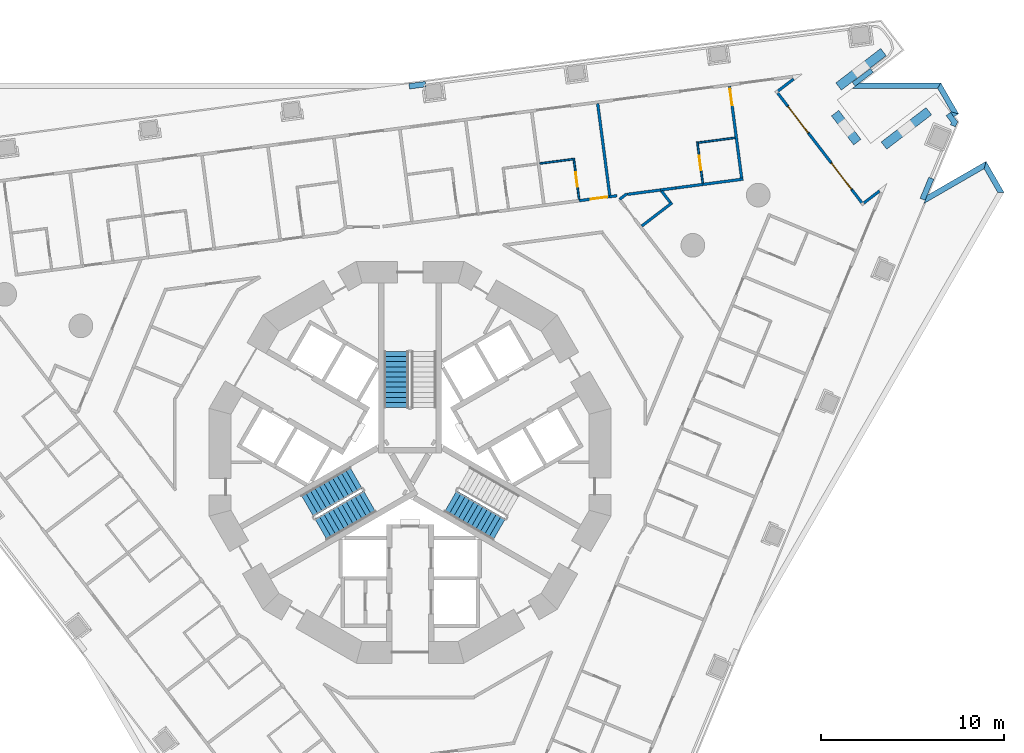
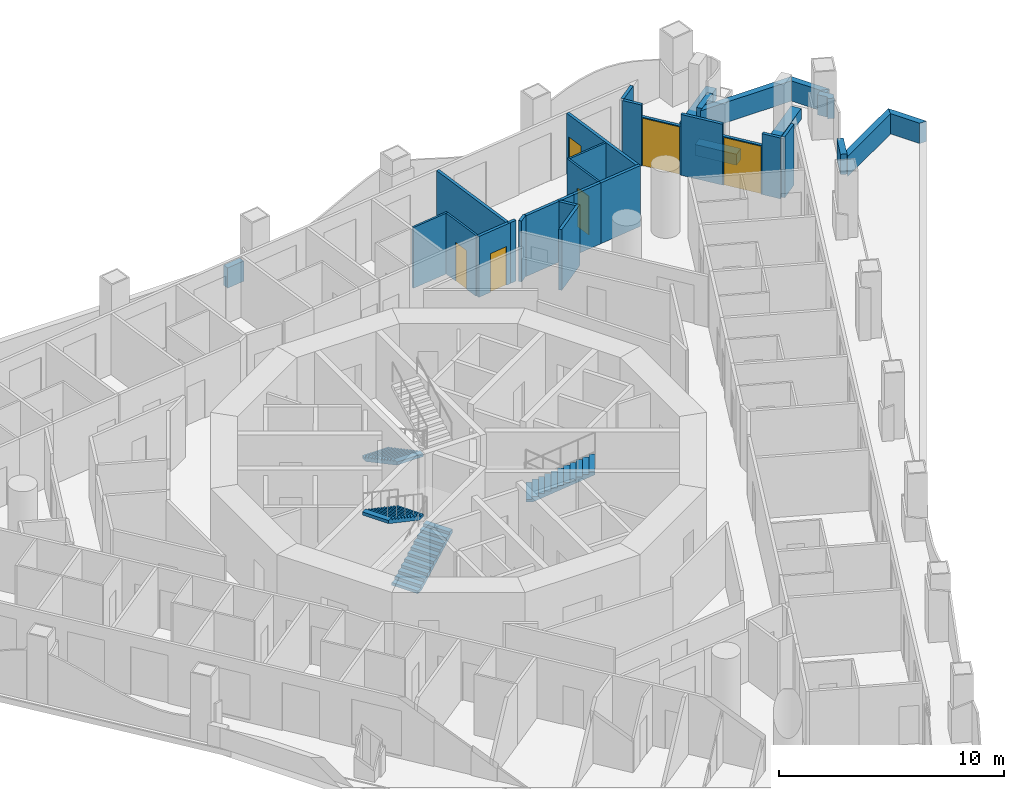
# One storey, part 11 of 20: 34 walls, 6 doors, 4 stair flights, 6 openings, 3 elements without a shape of their own.
"""IFC4 building model written with IfcOpenShell, lengths in metres."""

from ifc_helpers import new_model, si_unit, direction, frame, frame_2d, origin, place, context, subcontext, project, spatial, polyline, rectangle, outline, extrude, material, layer, layer_set, type_object, element, fill, aggregate, save


model = new_model("IFC4")

# Units and contexts
model_context = context("Model", 3, precision=1e-05, world=origin(), true_north=direction((0.0, 1.0)))
body_context = subcontext(model_context, "Body", "Model", "MODEL_VIEW")
ifc_project = project(units=[si_unit("LENGTHUNIT", "METRE"), si_unit("AREAUNIT", "SQUARE_METRE"), si_unit("VOLUMEUNIT", "CUBIC_METRE"), si_unit("PLANEANGLEUNIT", "RADIAN"), si_unit("MASSUNIT", "GRAM", prefix="KILO")], contexts=[model_context])

# Site, building, storey
site_placement = place(None, origin())
site = spatial("IfcSite", under=ifc_project, at=site_placement, CompositionType="ELEMENT")
building_placement = place(site_placement, origin())
building = spatial("IfcBuilding", under=site, at=building_placement, Name="Trine Commons Tower", CompositionType="ELEMENT")
storey_placement = place(building_placement, frame((0.0, 0.0, 50.39990234375)))
storey = spatial("IfcBuildingStorey", under=building, at=storey_placement, Name="L11", CompositionType="ELEMENT", Elevation=50.39990234375)

# Walls
ifc_material_1 = material(Name="Aluminium-framed insulated wall panel", Category="aluminium")
ifc_layer_1 = layer(ifc_material_1, 0.14990234375)
ifc_layer_set_1 = layer_set([ifc_layer_1], Name="Aluminium-framed insulated wall panel")
wall_type_1 = type_object("IfcWallType", Name="Glazed frame wall 150, EI 60", PredefinedType="SOLIDWALL", material=ifc_layer_set_1)
wall_1_placement = place(storey_placement, frame((101.129150390625, 83.584716796875, 0.0), z_axis=(0.0, 0.0, 1.0), x_axis=(-0.79337253673, -0.608736410905, 0.0)))
element("IfcWall", 1, at=wall_1_placement, inside=storey, type_object=wall_type_1, Name="Glazed frame wall R5", PredefinedType="SOLIDWALL", context=body_context, shape_type="SweptSolid", body=[
    extrude(outline(polyline([(0.1494140625, 0.074951171875), (0.1494140625, -0.074951171875), (1.235107421875, -0.074951171875), (1.235107421875, 0.074951171875), (0.1494140625, 0.074951171875)])), origin(), (0.0, 0.0, 1.0), 3.300048828125),
])
wall_2_placement = place(storey_placement, frame((100.068603515625, 82.81494140625, 0.0), z_axis=(0.0, 0.0, 1.0), x_axis=(0.608908114293, -0.793240763166, 0.0)))
element("IfcWall", 2, at=wall_2_placement, inside=storey, type_object=wall_type_1, Name="Glazed frame wall P2.1", PredefinedType="SOLIDWALL", context=body_context, shape_type="SweptSolid", body=[
    extrude(outline(polyline([(0.110107421875, -0.074951171875), (1.0, -0.074951171875), (1.0, 0.074951171875), (0.110107421875, 0.074951171875), (0.110107421875, -0.074951171875)])), origin(), (0.0, 0.0, 1.0), 3.300048828125),
])

# Wall, opening, door
wall_3_placement = place(storey_placement, frame((100.677490234375, 82.021728515625, 0.0), z_axis=(0.0, 0.0, 1.0), x_axis=(0.608722862036, -0.793382932281, 0.0)))
wall_3 = element("IfcWall", 3, at=wall_3_placement, inside=storey, type_object=wall_type_1, Name="Glazed frame wall P2.2", PredefinedType="SOLIDWALL", context=body_context, shape_type="SweptSolid", body=[
    extrude(outline(polyline([(0.0, -0.074951171875), (1.89990234375, -0.074951171875), (1.89990234375, 0.074951171875), (0.0, 0.074951171875), (0.0, -0.074951171875)])), origin(), (0.0, 0.0, 1.0), 2.650146484375),
])
opening_1_placement = place(wall_3_placement, frame((0.050048828125, 0.0, 0.0)))
opening_1 = element("IfcOpeningElement", 4, at=opening_1_placement, cuts=wall_3, Name="Opening BD-2P2-01", PredefinedType="OPENING", context=body_context, shape_type="SweptSolid", body=[
    extrude(rectangle(XDim=1.800048828125, YDim=2.60009765625, at=frame_2d((0.89990234375, 1.300048828125))), frame((0.0, 0.0849609375, 0.0), z_axis=(0.0, -1.0, 0.0), x_axis=(1.0, 0.0, 0.0)), (0.0, 0.0, 1.0), 0.169921875),
])
ifc_material_2 = material(Name="Anodised aluminium frame with double glazing", Category="aluminium")
door_type_1 = type_object("IfcDoorType", Name="Sliding loggia door 1800x2600", OperationType="SLIDING_TO_LEFT", PredefinedType="DOOR", material=ifc_material_2)
door_1_placement = place(opening_1_placement, origin())
door_1 = element("IfcDoor", 5, at=door_1_placement, inside=storey, type_object=door_type_1, Name="Loggia door P2 1", OperationType="SLIDING_TO_LEFT", OverallHeight=2.60009765625, OverallWidth=1.800048828125, PredefinedType="DOOR", context=body_context, shape_type="SweptSolid", body=[
    extrude(rectangle(XDim=1.800048828125, YDim=2.60009765625, at=frame_2d((0.89990234375, 1.300048828125))), frame((0.0, 0.02490234375, 0.0), z_axis=(0.0, -1.0, 0.0), x_axis=(1.0, 0.0, 0.0)), (0.0, 0.0, 1.0), 0.050048828125),
])
fill(opening_1, door_1)

# Wall
wall_4_placement = place(storey_placement, frame((101.833984375, 80.514404296875, 0.0), z_axis=(0.0, 0.0, 1.0), x_axis=(0.608713379391, -0.793390207748, 0.0)))
element("IfcWall", 6, at=wall_4_placement, inside=storey, type_object=wall_type_1, Name="Glazed frame wall P2.3", PredefinedType="SOLIDWALL", context=body_context, shape_type="SweptSolid", body=[
    extrude(outline(polyline([(0.0, -0.074951171875), (2.0, -0.074951171875), (2.0, 0.074951171875), (0.0, 0.074951171875), (0.0, -0.074951171875)])), origin(), (0.0, 0.0, 1.0), 3.300048828125),
])

# Wall, opening, door
wall_5_placement = place(storey_placement, frame((103.051513671875, 78.927490234375, 0.0), z_axis=(0.0, 0.0, 1.0), x_axis=(0.608803740143, -0.793320872023, 0.0)))
wall_5 = element("IfcWall", 7, at=wall_5_placement, inside=storey, type_object=wall_type_1, Name="Glazed frame wall P2.4", PredefinedType="SOLIDWALL", context=body_context, shape_type="SweptSolid", body=[
    extrude(outline(polyline([(0.0, -0.074951171875), (1.89990234375, -0.074951171875), (1.89990234375, 0.074951171875), (0.0, 0.074951171875), (0.0, -0.074951171875)])), origin(), (0.0, 0.0, 1.0), 2.650146484375),
])
opening_2_placement = place(wall_5_placement, frame((0.050048828125, 0.0, 0.0)))
opening_2 = element("IfcOpeningElement", 8, at=opening_2_placement, cuts=wall_5, Name="Opening BD-2P2-02", PredefinedType="OPENING", context=body_context, shape_type="SweptSolid", body=[
    extrude(rectangle(XDim=1.800048828125, YDim=2.60009765625, at=frame_2d((0.89990234375, 1.300048828125))), frame((0.0, 0.0849609375, 0.0), z_axis=(0.0, -1.0, 0.0), x_axis=(1.0, 0.0, 0.0)), (0.0, 0.0, 1.0), 0.169921875),
])
door_2_placement = place(opening_2_placement, origin())
door_2 = element("IfcDoor", 9, at=door_2_placement, inside=storey, type_object=door_type_1, Name="Loggia door P2 2", OperationType="SLIDING_TO_LEFT", OverallHeight=2.60009765625, OverallWidth=1.800048828125, PredefinedType="DOOR", context=body_context, shape_type="SweptSolid", body=[
    extrude(rectangle(XDim=1.800048828125, YDim=2.60009765625, at=frame_2d((0.89990234375, 1.300048828125))), frame((0.0, 0.02490234375, 0.0), z_axis=(0.0, -1.0, 0.0), x_axis=(1.0, 0.0, 0.0)), (0.0, 0.0, 1.0), 0.050048828125),
])
fill(opening_2, door_2)

# Walls
wall_6_placement = place(storey_placement, frame((104.208251953125, 77.420166015625, 0.0), z_axis=(0.0, 0.0, 1.0), x_axis=(0.608754453805, -0.793358692504, 0.0)))
element("IfcWall", 10, at=wall_6_placement, inside=storey, type_object=wall_type_1, Name="Glazed frame wall P2.5", PredefinedType="SOLIDWALL", context=body_context, shape_type="SweptSolid", body=[
    extrude(outline(polyline([(0.889892578125, 0.074951171875), (0.0, 0.074951171875), (0.0, -0.074951171875), (0.889892578125, -0.074951171875), (0.889892578125, 0.074951171875)])), origin(), (0.0, 0.0, 1.0), 3.300048828125),
])
wall_7_placement = place(storey_placement, frame((104.767822265625, 76.63330078125, 0.0), z_axis=(0.0, 0.0, 1.0), x_axis=(0.793352136239, 0.608762998157, 0.0)))
element("IfcWall", 11, at=wall_7_placement, inside=storey, type_object=wall_type_1, Name="Glazed frame wall R7", PredefinedType="SOLIDWALL", context=body_context, shape_type="SweptSolid", body=[
    extrude(outline(polyline([(0.110107421875, 0.074951171875), (0.110107421875, -0.074951171875), (1.19580078125, -0.074951171875), (1.19580078125, 0.074951171875), (0.110107421875, 0.074951171875)])), origin(), (0.0, 0.0, 1.0), 3.300048828125),
])
ifc_material_3 = material(Name="Planter trough, precast concrete C40/50", Category="concrete")
ifc_layer_2 = layer(ifc_material_3, 0.5)
ifc_layer_set_2 = layer_set([ifc_layer_2], Name="Planter trough, precast concrete C40/50")
wall_type_2 = type_object("IfcWallType", Name="Planter trough 500x600", PredefinedType="PARAPET", material=ifc_layer_set_2)
wall_8_placement = place(storey_placement, frame((105.933349609375, 84.970703125, 0.0), z_axis=(0.0, 0.0, 1.0), x_axis=(-0.793355321014, -0.608758847671, 0.0)))
element("IfcWall", 12, at=wall_8_placement, inside=storey, type_object=wall_type_2, Name="Planter 4", PredefinedType="PARAPET", context=body_context, shape_type="SweptSolid", body=[
    extrude(rectangle(XDim=3.10009765625, YDim=0.5, at=frame_2d((1.550048828125, 0.0))), origin(), (0.0, 0.0, 1.0), 0.60009765625),
])
wall_9_placement = place(storey_placement, frame((103.281982421875, 81.625244140625, 0.0), z_axis=(0.0, 0.0, 1.0), x_axis=(0.608772331974, -0.793344974033, 0.0)))
element("IfcWall", 13, at=wall_9_placement, inside=storey, type_object=wall_type_2, Name="Planter 5", PredefinedType="PARAPET", context=body_context, shape_type="SweptSolid", body=[
    extrude(rectangle(XDim=2.0, YDim=0.5, at=frame_2d((1.0, 0.0))), origin(), (0.0, 0.0, 1.0), 0.60009765625),
])
wall_10_placement = place(storey_placement, frame((105.95751953125, 79.8466796875, 0.0), z_axis=(0.0, 0.0, 1.0), x_axis=(0.793355321014, 0.608758847671, 0.0)))
element("IfcWall", 14, at=wall_10_placement, inside=storey, type_object=wall_type_2, Name="Planter 6", PredefinedType="PARAPET", context=body_context, shape_type="SweptSolid", body=[
    extrude(rectangle(XDim=3.10009765625, YDim=0.5, at=frame_2d((1.550048828125, 0.0))), origin(), (0.0, 0.0, 1.0), 0.60009765625),
])
ifc_material_4 = material(Name="Limestone, honed", Category="masonry")
ifc_layer_3 = layer(ifc_material_4, 0.300048828125)
ifc_layer_set_3 = layer_set([ifc_layer_3], Name="Limestone, honed")
wall_type_3 = type_object("IfcWallType", Name="Stone parapet 300", PredefinedType="PARAPET", material=ifc_layer_set_3)
wall_11_placement = place(storey_placement, origin())
element("IfcWall", 15, at=wall_11_placement, inside=storey, type_object=wall_type_3, Name="Sliver roof parapet extension L10 2.X1", PredefinedType="PARAPET", context=body_context, shape_type="SweptSolid", body=[
    extrude(outline(polyline([(79.9326171875, 83.24560546875), (79.9716796875, 82.947998046875), (80.864013671875, 83.0654296875), (80.824951171875, 83.36279296875), (80.040771484375, 83.259765625), (79.9326171875, 83.24560546875)])), origin(), (0.0, 0.0, 1.0), 1.10009765625),
])
wall_12_placement = place(storey_placement, origin())
element("IfcWall", 16, at=wall_12_placement, inside=storey, type_object=wall_type_3, Name="Sliver roof parapet L10 5.1", PredefinedType="PARAPET", context=body_context, shape_type="SweptSolid", body=[
    extrude(outline(polyline([(109.785400390625, 81.4287109375), (110.0537109375, 81.58349609375), (109.64404296875, 81.693359375), (109.601318359375, 81.668701171875), (109.785400390625, 81.4287109375)])), origin(), (0.0, 0.0, 1.0), 1.10009765625),
])
wall_13_placement = place(storey_placement, origin())
element("IfcWall", 17, at=wall_13_placement, inside=storey, type_object=wall_type_3, Name="Sliver roof parapet L10 5.2", PredefinedType="PARAPET", context=body_context, shape_type="SweptSolid", body=[
    extrude(outline(polyline([(110.0537109375, 81.58349609375), (109.07177734375, 83.28466796875), (108.898681640625, 82.984619140625), (109.64404296875, 81.693359375), (110.0537109375, 81.58349609375)])), origin(), (0.0, 0.0, 1.0), 1.10009765625),
])
wall_14_placement = place(storey_placement, origin())
element("IfcWall", 18, at=wall_14_placement, inside=storey, type_object=wall_type_3, Name="Sliver roof parapet L10 5.3", PredefinedType="PARAPET", context=body_context, shape_type="SweptSolid", body=[
    extrude(outline(polyline([(109.07177734375, 83.28466796875), (104.623046875, 83.28466796875), (104.23193359375, 82.984619140625), (108.898681640625, 82.984619140625), (109.07177734375, 83.28466796875)])), origin(), (0.0, 0.0, 1.0), 1.10009765625),
])
wall_15_placement = place(storey_placement, origin())
element("IfcWall", 19, at=wall_15_placement, inside=storey, type_object=wall_type_3, Name="Sliver roof parapet extension L10 5.X1", PredefinedType="PARAPET", context=body_context, shape_type="SweptSolid", body=[
    extrude(outline(polyline([(109.8828125, 80.873779296875), (109.99755859375, 81.15087890625), (109.96826171875, 81.190673828125), (109.602783203125, 81.666748046875), (109.364990234375, 81.484130859375), (109.654541015625, 81.106689453125), (109.605712890625, 80.988525390625), (109.8828125, 80.873779296875)])), origin(), (0.0, 0.0, 1.0), 1.10009765625),
])
wall_16_placement = place(storey_placement, origin())
element("IfcWall", 20, at=wall_16_placement, inside=storey, type_object=wall_type_3, Name="Sliver roof parapet extension L10 5.X2", PredefinedType="PARAPET", context=body_context, shape_type="SweptSolid", body=[
    extrude(outline(polyline([(105.376708984375, 83.86279296875), (105.21240234375, 84.0771484375), (104.220703125, 83.316162109375), (104.385009765625, 83.10205078125), (104.76025390625, 83.389892578125), (105.376708984375, 83.86279296875)])), origin(), (0.0, 0.0, 1.0), 1.10009765625),
])
wall_17_placement = place(storey_placement, origin())
element("IfcWall", 21, at=wall_17_placement, inside=storey, type_object=wall_type_3, Name="Sliver roof parapet L10 6.2", PredefinedType="PARAPET", context=body_context, shape_type="SweptSolid", body=[
    extrude(outline(polyline([(112.535888671875, 77.28466796875), (111.5537109375, 78.985595703125), (111.444091796875, 78.57568359375), (112.189453125, 77.28466796875), (112.535888671875, 77.28466796875)])), origin(), (0.0, 0.0, 1.0), 1.10009765625),
])
wall_18_placement = place(storey_placement, origin())
element("IfcWall", 22, at=wall_18_placement, inside=storey, type_object=wall_type_3, Name="Sliver roof parapet L10 6.3", PredefinedType="PARAPET", context=body_context, shape_type="SweptSolid", body=[
    extrude(outline(polyline([(111.5537109375, 78.985595703125), (108.32958984375, 77.1240234375), (108.14111328125, 76.668701171875), (111.444091796875, 78.57568359375), (111.5537109375, 78.985595703125)])), origin(), (0.0, 0.0, 1.0), 1.10009765625),
])
wall_19_placement = place(storey_placement, origin())
element("IfcWall", 23, at=wall_19_placement, inside=storey, type_object=wall_type_3, Name="Sliver roof parapet extension L10 6.X2", PredefinedType="PARAPET", context=body_context, shape_type="SweptSolid", body=[
    extrude(outline(polyline([(107.937744140625, 76.961669921875), (108.21484375, 76.846923828125), (108.693115234375, 78.001708984375), (108.416015625, 78.11669921875), (107.937744140625, 76.961669921875)])), origin(), (0.0, 0.0, 1.0), 1.10009765625),
])

# Wall, opening, door
ifc_material_5 = material(Name="Gypsum plasterboard on steel stud", Category="steel")
ifc_layer_4 = layer(ifc_material_5, 0.14990234375)
ifc_layer_set_4 = layer_set([ifc_layer_4], Name="Gypsum plasterboard on steel stud")
wall_type_4 = type_object("IfcWallType", Name="Unit and corridor wall 150 mm, EI 60", PredefinedType="PARTITIONING", material=ifc_layer_set_4)
wall_20_placement = place(storey_placement, frame((89.263916015625, 76.830078125, 0.0), z_axis=(0.0, 0.0, 1.0), x_axis=(0.991460374844, 0.130408301556, 0.0)))
wall_20 = element("IfcWall", 24, at=wall_20_placement, inside=storey, type_object=wall_type_4, Name="Partition 120", PredefinedType="PARTITIONING", context=body_context, shape_type="SweptSolid", body=[
    extrude(rectangle(XDim=1.776611328125, YDim=0.14990234375, at=frame_2d((0.88818359375, 0.0))), origin(), (0.0, 0.0, 1.0), 3.300048828125),
])
opening_3_placement = place(wall_20_placement, frame((0.6474609375, 0.0, 0.0)))
opening_3 = element("IfcOpeningElement", 25, at=opening_3_placement, cuts=wall_20, Name="Opening D-2A15", PredefinedType="OPENING", context=body_context, shape_type="SweptSolid", body=[
    extrude(rectangle(XDim=0.89990234375, YDim=2.10009765625, at=frame_2d((0.449951171875, 1.050048828125))), frame((0.0, 0.0849609375, 0.0), z_axis=(0.0, -1.0, 0.0), x_axis=(1.0, 0.0, 0.0)), (0.0, 0.0, 1.0), 0.169921875),
])
ifc_material_6 = material(Name="Timber fire door set", Category="wood")
door_type_2 = type_object("IfcDoorType", Name="Bedroom door 900 x 2100, FD30S", OperationType="NOTDEFINED", PredefinedType="DOOR", material=ifc_material_6)
door_3_placement = place(opening_3_placement, origin())
door_3 = element("IfcDoor", 26, at=door_3_placement, inside=storey, type_object=door_type_2, Name="Door D-2A15", OperationType="SINGLE_SWING_RIGHT", OverallHeight=2.10009765625, OverallWidth=0.89990234375, PredefinedType="DOOR", context=body_context, shape_type="SweptSolid", body=[
    extrude(rectangle(XDim=0.89990234375, YDim=2.10009765625, at=frame_2d((0.449951171875, 1.050048828125))), frame((0.0, 0.02490234375, 0.0), z_axis=(0.0, -1.0, 0.0), x_axis=(1.0, 0.0, 0.0)), (0.0, 0.0, 1.0), 0.050048828125),
])
fill(opening_3, door_3)

# Walls
wall_21_placement = place(storey_placement, frame((90.276123046875, 82.146240234375, 0.0), z_axis=(0.0, 0.0, 1.0), x_axis=(0.130553032561, -0.991441327406, 0.0)))
element("IfcWall", 27, at=wall_21_placement, inside=storey, type_object=wall_type_4, Name="Partition 124", PredefinedType="PARTITIONING", context=body_context, shape_type="SweptSolid", body=[
    extrude(rectangle(XDim=5.064208984375, YDim=0.14990234375, at=frame_2d((2.5322265625, 0.0))), origin(), (0.0, 0.0, 1.0), 3.300048828125),
])
wall_22_placement = place(storey_placement, frame((90.935302734375, 77.050048828125, 0.0), z_axis=(0.0, 0.0, 1.0), x_axis=(0.991508240123, 0.130043876322, 0.0)))
element("IfcWall", 28, at=wall_22_placement, inside=storey, type_object=wall_type_4, Name="Partition 127", PredefinedType="PARTITIONING", context=body_context, shape_type="SweptSolid", body=[
    extrude(rectangle(XDim=0.39990234375, YDim=0.14990234375, at=frame_2d((0.199951171875, 0.0))), origin(), (0.0, 0.0, 1.0), 3.300048828125),
])
wall_23_placement = place(storey_placement, frame((91.47607421875, 76.903076171875, 0.0), z_axis=(0.0, 0.0, 1.0), x_axis=(0.794371473226, 0.607432269908, 0.0)))
element("IfcWall", 29, at=wall_23_placement, inside=storey, type_object=wall_type_4, Name="Partition 130", PredefinedType="PARTITIONING", context=body_context, shape_type="SweptSolid", body=[
    extrude(rectangle(XDim=0.508056640625, YDim=0.14990234375, at=frame_2d((0.25390625, 0.0))), origin(), (0.0, 0.0, 1.0), 3.300048828125),
])
wall_24_placement = place(storey_placement, frame((91.894287109375, 77.17578125, 0.0), z_axis=(0.0, 0.0, 1.0), x_axis=(0.991459237005, 0.130416951959, 0.0)))
element("IfcWall", 30, at=wall_24_placement, inside=storey, type_object=wall_type_4, Name="Partition 131", PredefinedType="PARTITIONING", context=body_context, shape_type="SweptSolid", body=[
    extrude(rectangle(XDim=1.849609375, YDim=0.14990234375, at=frame_2d((0.9248046875, 0.0))), origin(), (0.0, 0.0, 1.0), 3.300048828125),
])
wall_25_placement = place(storey_placement, frame((92.6923828125, 75.440673828125, 0.0), z_axis=(0.0, 0.0, 1.0), x_axis=(0.793198338244, 0.608963378379, 0.0)))
element("IfcWall", 31, at=wall_25_placement, inside=storey, type_object=wall_type_4, Name="Partition 133", PredefinedType="PARTITIONING", context=body_context, shape_type="SweptSolid", body=[
    extrude(rectangle(XDim=2.100341796875, YDim=0.14990234375, at=frame_2d((1.05029296875, 0.0))), origin(), (0.0, 0.0, 1.0), 3.300048828125),
])
wall_26_placement = place(storey_placement, frame((93.773681640625, 77.357421875, 0.0), z_axis=(0.0, 0.0, 1.0), x_axis=(0.609485891215, -0.792796914985, 0.0)))
element("IfcWall", 32, at=wall_26_placement, inside=storey, type_object=wall_type_4, Name="Partition 141", PredefinedType="PARTITIONING", context=body_context, shape_type="SweptSolid", body=[
    extrude(rectangle(XDim=0.787109375, YDim=0.14990234375, at=frame_2d((0.3935546875, 0.0))), origin(), (0.0, 0.0, 1.0), 3.300048828125),
])
wall_27_placement = place(storey_placement, frame((93.72802734375, 77.4169921875, 0.0), z_axis=(0.0, 0.0, 1.0), x_axis=(0.991356991582, 0.131191902348, 0.0)))
element("IfcWall", 33, at=wall_27_placement, inside=storey, type_object=wall_type_4, Name="Partition 142", PredefinedType="PARTITIONING", context=body_context, shape_type="SweptSolid", body=[
    extrude(rectangle(XDim=0.83935546875, YDim=0.14990234375, at=frame_2d((0.419677734375, 0.0))), origin(), (0.0, 0.0, 1.0), 3.300048828125),
])
wall_28_placement = place(storey_placement, frame((94.56005859375, 77.527099609375, 0.0), z_axis=(0.0, 0.0, 1.0), x_axis=(0.991501948485, 0.130091837371, 0.0)))
element("IfcWall", 34, at=wall_28_placement, inside=storey, type_object=wall_type_4, Name="Partition 145", PredefinedType="PARTITIONING", context=body_context, shape_type="SweptSolid", body=[
    extrude(rectangle(XDim=1.49755859375, YDim=0.14990234375, at=frame_2d((0.748779296875, 0.0))), origin(), (0.0, 0.0, 1.0), 3.300048828125),
])
wall_29_placement = place(storey_placement, frame((95.9873046875, 77.714599609375, 0.0), z_axis=(0.0, 0.0, 1.0), x_axis=(0.991461223533, 0.130401849026, 0.0)))
element("IfcWall", 35, at=wall_29_placement, inside=storey, type_object=wall_type_4, Name="Partition 153", PredefinedType="PARTITIONING", context=body_context, shape_type="SweptSolid", body=[
    extrude(rectangle(XDim=2.278564453125, YDim=0.14990234375, at=frame_2d((1.13916015625, 0.0))), origin(), (0.0, 0.0, 1.0), 3.300048828125),
])

# Wall, opening, door
wall_30_placement = place(storey_placement, frame((97.501220703125, 83.097412109375, 0.0), z_axis=(0.0, 0.0, 1.0), x_axis=(0.130499406053, -0.991448387471, 0.0)))
wall_30 = element("IfcWall", 36, at=wall_30_placement, inside=storey, type_object=wall_type_4, Name="Partition 158", PredefinedType="PARTITIONING", context=body_context, shape_type="SweptSolid", body=[
    extrude(rectangle(XDim=5.064208984375, YDim=0.14990234375, at=frame_2d((2.5322265625, 0.0))), origin(), (0.0, 0.0, 1.0), 3.300048828125),
])
opening_4_placement = place(wall_30_placement, frame((0.14990234375, 0.0, 0.0)))
opening_4 = element("IfcOpeningElement", 37, at=opening_4_placement, cuts=wall_30, Name="Opening D-2A16", PredefinedType="OPENING", context=body_context, shape_type="SweptSolid", body=[
    extrude(rectangle(XDim=0.89990234375, YDim=2.10009765625, at=frame_2d((0.449951171875, 1.050048828125))), frame((0.0, 0.0849609375, 0.0), z_axis=(0.0, -1.0, 0.0), x_axis=(1.0, 0.0, 0.0)), (0.0, 0.0, 1.0), 0.169921875),
])
door_4_placement = place(opening_4_placement, frame((0.89990234375, 0.0, 0.0), z_axis=(0.0, 0.0, 1.0), x_axis=(-1.0, 0.0, 0.0)))
door_4 = element("IfcDoor", 38, at=door_4_placement, inside=storey, type_object=door_type_2, Name="Door D-2A16", OperationType="SINGLE_SWING_RIGHT", OverallHeight=2.10009765625, OverallWidth=0.89990234375, PredefinedType="DOOR", context=body_context, shape_type="SweptSolid", body=[
    extrude(rectangle(XDim=0.89990234375, YDim=2.10009765625, at=frame_2d((0.449951171875, 1.050048828125))), frame((0.0, 0.02490234375, 0.0), z_axis=(0.0, -1.0, 0.0), x_axis=(1.0, 0.0, 0.0)), (0.0, 0.0, 1.0), 0.050048828125),
])
fill(opening_4, door_4)

# Wall
ifc_layer_5 = layer(ifc_material_5, 0.10009765625)
ifc_layer_set_5 = layer_set([ifc_layer_5], Name="Gypsum plasterboard on steel stud")
wall_type_5 = type_object("IfcWallType", Name="Unit partition 100 mm, no rating", PredefinedType="PARTITIONING", material=ifc_layer_set_5)
wall_31_placement = place(storey_placement, frame((87.109375, 78.86572265625, 0.0), z_axis=(0.0, 0.0, 1.0), x_axis=(0.991477594971, 0.130277314488, 0.0)))
element("IfcWall", 39, at=wall_31_placement, inside=storey, type_object=wall_type_5, Name="Partition 114", PredefinedType="PARTITIONING", context=body_context, shape_type="SweptSolid", body=[
    extrude(rectangle(XDim=1.924560546875, YDim=0.10009765625, at=frame_2d((0.96240234375, 0.0))), origin(), (0.0, 0.0, 1.0), 3.300048828125),
])

# Wall, opening, door
wall_32_placement = place(storey_placement, frame((88.974609375, 79.060302734375, 0.0), z_axis=(0.0, 0.0, 1.0), x_axis=(0.130457416757, -0.991453913409, 0.0)))
wall_32 = element("IfcWall", 40, at=wall_32_placement, inside=storey, type_object=wall_type_5, Name="Partition 119", PredefinedType="PARTITIONING", context=body_context, shape_type="SweptSolid", body=[
    extrude(rectangle(XDim=2.174560546875, YDim=0.10009765625, at=frame_2d((1.08740234375, 0.0))), origin(), (0.0, 0.0, 1.0), 3.300048828125),
])
opening_5_placement = place(wall_32_placement, frame((0.687255859375, 0.0, 0.0)))
opening_5 = element("IfcOpeningElement", 41, at=opening_5_placement, cuts=wall_32, Name="Opening D-2A47", PredefinedType="OPENING", context=body_context, shape_type="SweptSolid", body=[
    extrude(rectangle(XDim=0.800048828125, YDim=2.10009765625, at=frame_2d((0.39990234375, 1.050048828125))), frame((0.0, 0.06005859375, 0.0), z_axis=(0.0, -1.0, 0.0), x_axis=(1.0, 0.0, 0.0)), (0.0, 0.0, 1.0), 0.1201171875),
])
ifc_material_7 = material(Name="Painted timber", Category="wood")
door_type_3 = type_object("IfcDoorType", Name="Internal door 800 x 2100, NOT RATED", OperationType="NOTDEFINED", PredefinedType="DOOR", material=ifc_material_7)
door_5_placement = place(opening_5_placement, origin())
door_5 = element("IfcDoor", 42, at=door_5_placement, inside=storey, type_object=door_type_3, Name="Door D-2A47", OperationType="SINGLE_SWING_LEFT", OverallHeight=2.10009765625, OverallWidth=0.800048828125, PredefinedType="DOOR", context=body_context, shape_type="SweptSolid", body=[
    extrude(rectangle(XDim=0.800048828125, YDim=2.10009765625, at=frame_2d((0.39990234375, 1.050048828125))), frame((0.0, 0.02490234375, 0.0), z_axis=(0.0, -1.0, 0.0), x_axis=(1.0, 0.0, 0.0)), (0.0, 0.0, 1.0), 0.050048828125),
])
fill(opening_5, door_5)

wall_33_placement = place(storey_placement, frame((95.7333984375, 80.051513671875, 0.0), z_axis=(0.0, 0.0, 1.0), x_axis=(0.130940359595, -0.991390247193, 0.0)))
wall_33 = element("IfcWall", 43, at=wall_33_placement, inside=storey, type_object=wall_type_5, Name="Partition 151", PredefinedType="PARTITIONING", context=body_context, shape_type="SweptSolid", body=[
    extrude(rectangle(XDim=2.274658203125, YDim=0.10009765625, at=frame_2d((1.13720703125, 0.0))), origin(), (0.0, 0.0, 1.0), 3.300048828125),
])
opening_6_placement = place(wall_33_placement, frame((0.762451171875, 0.0, 0.0)))
opening_6 = element("IfcOpeningElement", 44, at=opening_6_placement, cuts=wall_33, Name="Opening D-2A48", PredefinedType="OPENING", context=body_context, shape_type="SweptSolid", body=[
    extrude(rectangle(XDim=0.800048828125, YDim=2.10009765625, at=frame_2d((0.39990234375, 1.050048828125))), frame((0.0, 0.06005859375, 0.0), z_axis=(0.0, -1.0, 0.0), x_axis=(1.0, 0.0, 0.0)), (0.0, 0.0, 1.0), 0.1201171875),
])
door_6_placement = place(opening_6_placement, frame((0.800048828125, 0.0, 0.0), z_axis=(0.0, 0.0, 1.0), x_axis=(-1.0, 0.0, 0.0)))
door_6 = element("IfcDoor", 45, at=door_6_placement, inside=storey, type_object=door_type_3, Name="Door D-2A48", OperationType="SINGLE_SWING_LEFT", OverallHeight=2.10009765625, OverallWidth=0.800048828125, PredefinedType="DOOR", context=body_context, shape_type="SweptSolid", body=[
    extrude(rectangle(XDim=0.800048828125, YDim=2.10009765625, at=frame_2d((0.39990234375, 1.050048828125))), frame((0.0, 0.02490234375, 0.0), z_axis=(0.0, -1.0, 0.0), x_axis=(1.0, 0.0, 0.0)), (0.0, 0.0, 1.0), 0.050048828125),
])
fill(opening_6, door_6)

# Wall
wall_34_placement = place(storey_placement, frame((95.78955078125, 80.008544921875, 0.0), z_axis=(0.0, 0.0, 1.0), x_axis=(0.991426785241, 0.130663420693, 0.0)))
element("IfcWall", 46, at=wall_34_placement, inside=storey, type_object=wall_type_5, Name="Partition 152", PredefinedType="PARTITIONING", context=body_context, shape_type="SweptSolid", body=[
    extrude(rectangle(XDim=2.025390625, YDim=0.10009765625, at=frame_2d((1.0126953125, 0.0))), origin(), (0.0, 0.0, 1.0), 3.300048828125),
])

# Stair, stair flight
ifc_material_8 = material(Name="Concrete C50/60", Category="concrete")
stair_type = type_object("IfcStairType", Name="Exit stair, dog-leg, 24 risers of 150 mm", PredefinedType="HALF_TURN_STAIR", material=ifc_material_8)
stair_1_placement = place(storey_placement, origin())
stair_1 = element("IfcStair", 47, at=stair_1_placement, inside=storey, type_object=stair_type, Name="L11 Exit stair ST1A", PredefinedType="HALF_TURN_STAIR")
stair_flight_type = type_object("IfcStairFlightType", Name="Stair flight, 1350 wide, 12 risers of 150 mm", PredefinedType="STRAIGHT", material=ifc_material_8)
stair_flight_1_placement = place(storey_placement, frame((79.25, 68.570556640625, 0.0), z_axis=(0.0, 0.0, 1.0), x_axis=(0.0, -1.0, 0.0)))
stair_flight_1 = element("IfcStairFlight", 48, at=stair_flight_1_placement, type_object=stair_flight_type, Name="ST1A flight 1", NumberOfRisers=12, NumberOfTreads=11, PredefinedType="STRAIGHT", RiserHeight=0.15, TreadLength=0.28, context=body_context, shape_type="SweptSolid", body=[
    extrude(outline(polyline([(0.0, 0.0), (0.0, 0.14990234375), (0.280029296875, 0.14990234375), (0.280029296875, 0.300048828125), (0.56005859375, 0.300048828125), (0.56005859375, 0.449951171875), (0.840087890625, 0.449951171875), (0.840087890625, 0.60009765625), (1.1201171875, 0.60009765625), (1.1201171875, 0.75), (1.39990234375, 0.75), (1.39990234375, 0.89990234375), (1.679931640625, 0.89990234375), (1.679931640625, 1.050048828125), (1.9599609375, 1.050048828125), (1.9599609375, 1.199951171875), (2.239990234375, 1.199951171875), (2.239990234375, 1.35009765625), (2.52001953125, 1.35009765625), (2.52001953125, 1.5), (2.800048828125, 1.5), (2.800048828125, 1.64990234375), (3.080078125, 1.64990234375), (3.080078125, 1.800048828125), (3.080078125, 1.47998046875), (0.3173828125, 0.0), (0.0, 0.0)])), frame((0.0, 0.675048828125, 0.0), z_axis=(0.0, -1.0, 0.0), x_axis=(1.0, 0.0, 0.0)), (0.0, 0.0, 1.0), 1.35009765625),
])
aggregate(stair_1, [stair_flight_1])

# Stair, stair flights
stair_2_placement = place(storey_placement, origin())
stair_2 = element("IfcStair", 49, at=stair_2_placement, inside=storey, type_object=stair_type, Name="L11 Exit stair ST2A", PredefinedType="HALF_TURN_STAIR")
stair_flight_2_placement = place(storey_placement, frame((75.11767578125, 58.815185546875, 0.0), z_axis=(0.0, 0.0, 1.0), x_axis=(0.866025403784, 0.5, 0.0)))
stair_flight_2 = element("IfcStairFlight", 50, at=stair_flight_2_placement, type_object=stair_flight_type, Name="ST2A flight 1", NumberOfRisers=12, NumberOfTreads=11, PredefinedType="STRAIGHT", RiserHeight=0.15, TreadLength=0.28, context=body_context, shape_type="SweptSolid", body=[
    extrude(outline(polyline([(0.0, 0.0), (0.0, 0.14990234375), (0.280029296875, 0.14990234375), (0.280029296875, 0.300048828125), (0.56005859375, 0.300048828125), (0.56005859375, 0.449951171875), (0.840087890625, 0.449951171875), (0.840087890625, 0.60009765625), (1.1201171875, 0.60009765625), (1.1201171875, 0.75), (1.39990234375, 0.75), (1.39990234375, 0.89990234375), (1.679931640625, 0.89990234375), (1.679931640625, 1.050048828125), (1.9599609375, 1.050048828125), (1.9599609375, 1.199951171875), (2.239990234375, 1.199951171875), (2.239990234375, 1.35009765625), (2.52001953125, 1.35009765625), (2.52001953125, 1.5), (2.800048828125, 1.5), (2.800048828125, 1.64990234375), (3.080078125, 1.64990234375), (3.080078125, 1.800048828125), (3.080078125, 1.47998046875), (0.3173828125, 0.0), (0.0, 0.0)])), frame((0.0, 0.675048828125, 0.0), z_axis=(0.0, -1.0, 0.0), x_axis=(1.0, 0.0, 0.0)), (0.0, 0.0, 1.0), 1.35009765625),
])
stair_flight_3_placement = place(storey_placement, frame((77.03515625, 61.654296875, 1.800048828125), z_axis=(0.0, 0.0, 1.0), x_axis=(-0.866025403784, -0.5, 0.0)))
stair_flight_3 = element("IfcStairFlight", 51, at=stair_flight_3_placement, type_object=stair_flight_type, Name="ST2A flight 2", NumberOfRisers=12, NumberOfTreads=11, PredefinedType="STRAIGHT", RiserHeight=0.15, TreadLength=0.28, context=body_context, shape_type="SweptSolid", body=[
    extrude(outline(polyline([(0.0, 0.0), (0.0, 0.14990234375), (0.280029296875, 0.14990234375), (0.280029296875, 0.300048828125), (0.56005859375, 0.300048828125), (0.56005859375, 0.449951171875), (0.840087890625, 0.449951171875), (0.840087890625, 0.60009765625), (1.1201171875, 0.60009765625), (1.1201171875, 0.75), (1.39990234375, 0.75), (1.39990234375, 0.89990234375), (1.679931640625, 0.89990234375), (1.679931640625, 1.050048828125), (1.9599609375, 1.050048828125), (1.9599609375, 1.199951171875), (2.239990234375, 1.199951171875), (2.239990234375, 1.35009765625), (2.52001953125, 1.35009765625), (2.52001953125, 1.5), (2.800048828125, 1.5), (2.800048828125, 1.64990234375), (3.080078125, 1.64990234375), (3.080078125, 1.800048828125), (3.080078125, 1.47998046875), (0.3173828125, 0.0), (0.0, 0.0)])), frame((0.0, 0.675048828125, 0.0), z_axis=(0.0, -1.0, 0.0), x_axis=(1.0, 0.0, 0.0)), (0.0, 0.0, 1.0), 1.35009765625),
])
aggregate(stair_2, [stair_flight_2, stair_flight_3])

# Stair, stair flight
stair_3_placement = place(storey_placement, origin())
stair_3 = element("IfcStair", 52, at=stair_3_placement, inside=storey, type_object=stair_type, Name="L11 Exit stair ST3A", PredefinedType="HALF_TURN_STAIR")
stair_flight_4_placement = place(storey_placement, frame((82.21484375, 60.355224609375, 1.800048828125), z_axis=(0.0, 0.0, 1.0), x_axis=(0.866025403784, -0.5, 0.0)))
stair_flight_4 = element("IfcStairFlight", 53, at=stair_flight_4_placement, type_object=stair_flight_type, Name="ST3A flight 2", NumberOfRisers=12, NumberOfTreads=11, PredefinedType="STRAIGHT", RiserHeight=0.15, TreadLength=0.28, context=body_context, shape_type="SweptSolid", body=[
    extrude(outline(polyline([(0.0, 0.0), (0.0, 0.14990234375), (0.280029296875, 0.14990234375), (0.280029296875, 0.300048828125), (0.56005859375, 0.300048828125), (0.56005859375, 0.449951171875), (0.840087890625, 0.449951171875), (0.840087890625, 0.60009765625), (1.1201171875, 0.60009765625), (1.1201171875, 0.75), (1.39990234375, 0.75), (1.39990234375, 0.89990234375), (1.679931640625, 0.89990234375), (1.679931640625, 1.050048828125), (1.9599609375, 1.050048828125), (1.9599609375, 1.199951171875), (2.239990234375, 1.199951171875), (2.239990234375, 1.35009765625), (2.52001953125, 1.35009765625), (2.52001953125, 1.5), (2.800048828125, 1.5), (2.800048828125, 1.64990234375), (3.080078125, 1.64990234375), (3.080078125, 1.800048828125), (3.080078125, 1.47998046875), (0.3173828125, 0.0), (0.0, 0.0)])), frame((0.0, 0.675048828125, 0.0), z_axis=(0.0, -1.0, 0.0), x_axis=(1.0, 0.0, 0.0)), (0.0, 0.0, 1.0), 1.35009765625),
])
aggregate(stair_3, [stair_flight_4])

save(model, "model.ifc")
